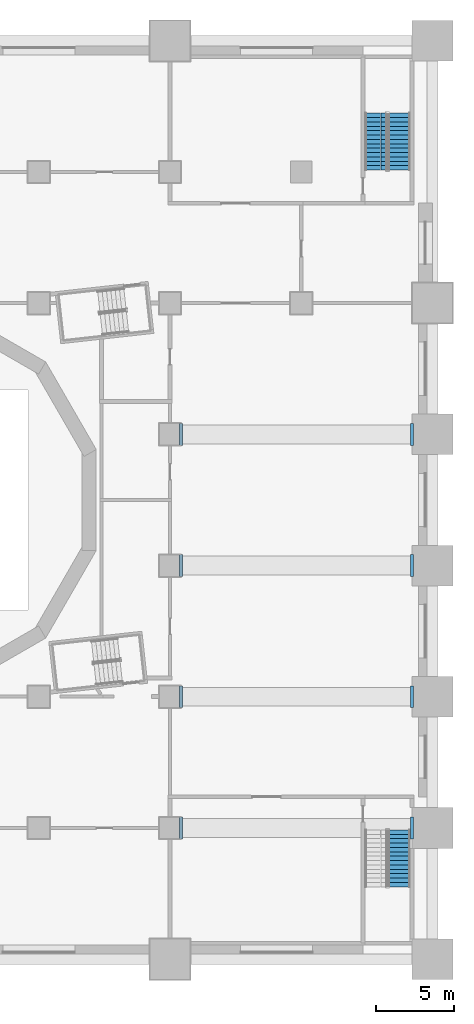
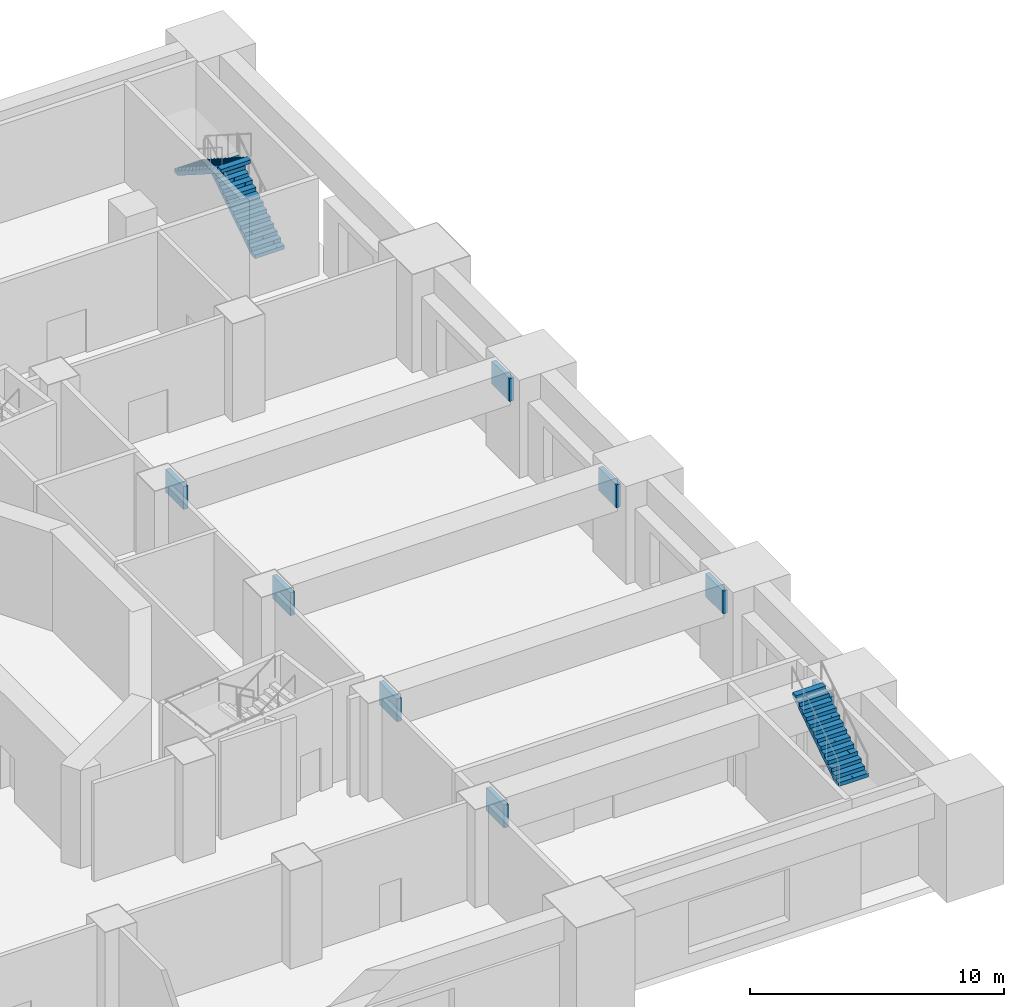
# One storey, part 8 of 17: 8 discrete accessories, 3 stair flights, 2 elements without a shape of their own.
"""IFC4 building model written with IfcOpenShell, lengths in metres."""

from ifc_helpers import new_model, si_unit, direction, frame, origin, place, context, subcontext, project, spatial, polyline, outline, extrude, material, layer, layer_set, type_object, element, aggregate, save


model = new_model("IFC4")

# Units and contexts
model_context = context("Model", 3, precision=1e-05, world=origin(), true_north=direction((0.0, 1.0)))
body_context = subcontext(model_context, "Body", "Model", "MODEL_VIEW")
ifc_project = project(units=[si_unit("LENGTHUNIT", "METRE"), si_unit("AREAUNIT", "SQUARE_METRE"), si_unit("VOLUMEUNIT", "CUBIC_METRE"), si_unit("PLANEANGLEUNIT", "RADIAN"), si_unit("MASSUNIT", "GRAM", prefix="KILO")], contexts=[model_context])

# Site, building, storey
site_placement = place(None, origin())
site = spatial("IfcSite", under=ifc_project, at=site_placement, CompositionType="ELEMENT")
building_placement = place(site_placement, origin())
building = spatial("IfcBuilding", under=site, at=building_placement, Name="Cantera Rosa Tower", CompositionType="ELEMENT")
storey_placement = place(building_placement, frame((0.0, 0.0, 22.0)))
storey = spatial("IfcBuildingStorey", under=building, at=storey_placement, Name="L03", CompositionType="ELEMENT", Elevation=22.0)

# Stair, stair flights
ifc_material_1 = material(Name="Concrete C35/45", Category="concrete")
stair_type = type_object("IfcStairType", Name="Stair half-turn 1350", PredefinedType="HALF_TURN_STAIR", material=ifc_material_1)
stair_1_placement = place(storey_placement, origin())
stair_1 = element("IfcStair", 1, at=stair_1_placement, inside=storey, type_object=stair_type, Name="L03 ST-NE", PredefinedType="HALF_TURN_STAIR")
ifc_material_2 = material(Name="Concrete C35/45", Category="concrete")
stair_flight_type = type_object("IfcStairFlightType", Name="Stair flight 1350", PredefinedType="STRAIGHT", material=ifc_material_2)
stair_flight_1_placement = place(storey_placement, frame((31.5, 21.125, 0.0), z_axis=(0.0, 0.0, 1.0), x_axis=(0.0, 1.0, 0.0)))
stair_flight_1 = element("IfcStairFlight", 2, at=stair_flight_1_placement, type_object=stair_flight_type, Name="ST-NE flight 1", NumberOfRisers=14, NumberOfTreads=13, PredefinedType="STRAIGHT", RiserHeight=0.178571429, TreadLength=0.28, context=body_context, shape_type="SweptSolid", body=[
    extrude(outline(polyline([(0.0, 0.0), (0.0, 0.178466796875), (0.280029296875, 0.178466796875), (0.280029296875, 0.357177734375), (0.56005859375, 0.357177734375), (0.56005859375, 0.53564453125), (0.840087890625, 0.53564453125), (0.840087890625, 0.71435546875), (1.1201171875, 0.71435546875), (1.1201171875, 0.892822265625), (1.39990234375, 0.892822265625), (1.39990234375, 1.071533203125), (1.679931640625, 1.071533203125), (1.679931640625, 1.25), (1.9599609375, 1.25), (1.9599609375, 1.428466796875), (2.239990234375, 1.428466796875), (2.239990234375, 1.607177734375), (2.52001953125, 1.607177734375), (2.52001953125, 1.78564453125), (2.800048828125, 1.78564453125), (2.800048828125, 1.96435546875), (3.080078125, 1.96435546875), (3.080078125, 2.142822265625), (3.360107421875, 2.142822265625), (3.360107421875, 2.321533203125), (3.639892578125, 2.321533203125), (3.639892578125, 2.5), (3.639892578125, 2.1435546875), (0.27880859375, 0.0), (0.0, 0.0)])), frame((0.0, 0.675048828125, 0.0), z_axis=(0.0, -1.0, 0.0), x_axis=(1.0, 0.0, 0.0)), (0.0, 0.0, 1.0), 0.3359375),
    extrude(outline(polyline([(0.0, 0.0), (0.0, 0.178466796875), (0.280029296875, 0.178466796875), (0.280029296875, 0.357177734375), (0.56005859375, 0.357177734375), (0.56005859375, 0.53564453125), (0.840087890625, 0.53564453125), (0.840087890625, 0.71435546875), (1.1201171875, 0.71435546875), (1.1201171875, 0.892822265625), (1.39990234375, 0.892822265625), (1.39990234375, 1.071533203125), (1.679931640625, 1.071533203125), (1.679931640625, 1.25), (1.9599609375, 1.25), (1.9599609375, 1.428466796875), (2.239990234375, 1.428466796875), (2.239990234375, 1.607177734375), (2.52001953125, 1.607177734375), (2.52001953125, 1.78564453125), (2.800048828125, 1.78564453125), (2.800048828125, 1.96435546875), (3.080078125, 1.96435546875), (3.080078125, 2.142822265625), (3.360107421875, 2.142822265625), (3.360107421875, 2.321533203125), (3.639892578125, 2.321533203125), (3.639892578125, 2.5), (3.639892578125, 2.1435546875), (0.27880859375, 0.0), (0.0, 0.0)])), frame((0.0, 0.337158203125, 0.0), z_axis=(0.0, -1.0, 0.0), x_axis=(1.0, 0.0, 0.0)), (0.0, 0.0, 1.0), 0.3359375),
    extrude(outline(polyline([(0.0, 0.0), (0.0, 0.178466796875), (0.280029296875, 0.178466796875), (0.280029296875, 0.357177734375), (0.56005859375, 0.357177734375), (0.56005859375, 0.53564453125), (0.840087890625, 0.53564453125), (0.840087890625, 0.71435546875), (1.1201171875, 0.71435546875), (1.1201171875, 0.892822265625), (1.39990234375, 0.892822265625), (1.39990234375, 1.071533203125), (1.679931640625, 1.071533203125), (1.679931640625, 1.25), (1.9599609375, 1.25), (1.9599609375, 1.428466796875), (2.239990234375, 1.428466796875), (2.239990234375, 1.607177734375), (2.52001953125, 1.607177734375), (2.52001953125, 1.78564453125), (2.800048828125, 1.78564453125), (2.800048828125, 1.96435546875), (3.080078125, 1.96435546875), (3.080078125, 2.142822265625), (3.360107421875, 2.142822265625), (3.360107421875, 2.321533203125), (3.639892578125, 2.321533203125), (3.639892578125, 2.5), (3.639892578125, 2.1435546875), (0.27880859375, 0.0), (0.0, 0.0)])), frame((0.0, -0.000732421875, 0.0), z_axis=(0.0, -1.0, 0.0), x_axis=(1.0, 0.0, 0.0)), (0.0, 0.0, 1.0), 0.3359375),
    extrude(outline(polyline([(0.0, 0.0), (0.0, 0.178466796875), (0.280029296875, 0.178466796875), (0.280029296875, 0.357177734375), (0.56005859375, 0.357177734375), (0.56005859375, 0.53564453125), (0.840087890625, 0.53564453125), (0.840087890625, 0.71435546875), (1.1201171875, 0.71435546875), (1.1201171875, 0.892822265625), (1.39990234375, 0.892822265625), (1.39990234375, 1.071533203125), (1.679931640625, 1.071533203125), (1.679931640625, 1.25), (1.9599609375, 1.25), (1.9599609375, 1.428466796875), (2.239990234375, 1.428466796875), (2.239990234375, 1.607177734375), (2.52001953125, 1.607177734375), (2.52001953125, 1.78564453125), (2.800048828125, 1.78564453125), (2.800048828125, 1.96435546875), (3.080078125, 1.96435546875), (3.080078125, 2.142822265625), (3.360107421875, 2.142822265625), (3.360107421875, 2.321533203125), (3.639892578125, 2.321533203125), (3.639892578125, 2.5), (3.639892578125, 2.1435546875), (0.27880859375, 0.0), (0.0, 0.0)])), frame((0.0, -0.338623046875, 0.0), z_axis=(0.0, -1.0, 0.0), x_axis=(1.0, 0.0, 0.0)), (0.0, 0.0, 1.0), 0.3359375),
])
stair_flight_2_placement = place(storey_placement, frame((29.949951171875, 24.764892578125, 2.5), z_axis=(0.0, 0.0, 1.0), x_axis=(0.0, -1.0, 0.0)))
stair_flight_2 = element("IfcStairFlight", 3, at=stair_flight_2_placement, type_object=stair_flight_type, Name="ST-NE flight 2", NumberOfRisers=14, NumberOfTreads=13, PredefinedType="STRAIGHT", RiserHeight=0.178571429, TreadLength=0.28, context=body_context, shape_type="SweptSolid", body=[
    extrude(outline(polyline([(0.0, 0.0), (0.0, 0.178466796875), (0.280029296875, 0.178466796875), (0.280029296875, 0.357177734375), (0.56005859375, 0.357177734375), (0.56005859375, 0.53564453125), (0.840087890625, 0.53564453125), (0.840087890625, 0.71435546875), (1.1201171875, 0.71435546875), (1.1201171875, 0.892822265625), (1.39990234375, 0.892822265625), (1.39990234375, 1.071533203125), (1.679931640625, 1.071533203125), (1.679931640625, 1.25), (1.9599609375, 1.25), (1.9599609375, 1.428466796875), (2.239990234375, 1.428466796875), (2.239990234375, 1.607177734375), (2.52001953125, 1.607177734375), (2.52001953125, 1.78564453125), (2.800048828125, 1.78564453125), (2.800048828125, 1.96435546875), (3.080078125, 1.96435546875), (3.080078125, 2.142822265625), (3.360107421875, 2.142822265625), (3.360107421875, 2.321533203125), (3.639892578125, 2.321533203125), (3.639892578125, 2.5), (3.639892578125, 2.1435546875), (0.27880859375, 0.0), (0.0, 0.0)])), frame((0.0, 0.675048828125, 0.0), z_axis=(0.0, -1.0, 0.0), x_axis=(1.0, 0.0, 0.0)), (0.0, 0.0, 1.0), 0.3359375),
    extrude(outline(polyline([(0.0, 0.0), (0.0, 0.178466796875), (0.280029296875, 0.178466796875), (0.280029296875, 0.357177734375), (0.56005859375, 0.357177734375), (0.56005859375, 0.53564453125), (0.840087890625, 0.53564453125), (0.840087890625, 0.71435546875), (1.1201171875, 0.71435546875), (1.1201171875, 0.892822265625), (1.39990234375, 0.892822265625), (1.39990234375, 1.071533203125), (1.679931640625, 1.071533203125), (1.679931640625, 1.25), (1.9599609375, 1.25), (1.9599609375, 1.428466796875), (2.239990234375, 1.428466796875), (2.239990234375, 1.607177734375), (2.52001953125, 1.607177734375), (2.52001953125, 1.78564453125), (2.800048828125, 1.78564453125), (2.800048828125, 1.96435546875), (3.080078125, 1.96435546875), (3.080078125, 2.142822265625), (3.360107421875, 2.142822265625), (3.360107421875, 2.321533203125), (3.639892578125, 2.321533203125), (3.639892578125, 2.5), (3.639892578125, 2.1435546875), (0.27880859375, 0.0), (0.0, 0.0)])), frame((0.0, 0.337158203125, 0.0), z_axis=(0.0, -1.0, 0.0), x_axis=(1.0, 0.0, 0.0)), (0.0, 0.0, 1.0), 0.3359375),
    extrude(outline(polyline([(0.0, 0.0), (0.0, 0.178466796875), (0.280029296875, 0.178466796875), (0.280029296875, 0.357177734375), (0.56005859375, 0.357177734375), (0.56005859375, 0.53564453125), (0.840087890625, 0.53564453125), (0.840087890625, 0.71435546875), (1.1201171875, 0.71435546875), (1.1201171875, 0.892822265625), (1.39990234375, 0.892822265625), (1.39990234375, 1.071533203125), (1.679931640625, 1.071533203125), (1.679931640625, 1.25), (1.9599609375, 1.25), (1.9599609375, 1.428466796875), (2.239990234375, 1.428466796875), (2.239990234375, 1.607177734375), (2.52001953125, 1.607177734375), (2.52001953125, 1.78564453125), (2.800048828125, 1.78564453125), (2.800048828125, 1.96435546875), (3.080078125, 1.96435546875), (3.080078125, 2.142822265625), (3.360107421875, 2.142822265625), (3.360107421875, 2.321533203125), (3.639892578125, 2.321533203125), (3.639892578125, 2.5), (3.639892578125, 2.1435546875), (0.27880859375, 0.0), (0.0, 0.0)])), frame((0.0, -0.000732421875, 0.0), z_axis=(0.0, -1.0, 0.0), x_axis=(1.0, 0.0, 0.0)), (0.0, 0.0, 1.0), 0.3359375),
    extrude(outline(polyline([(0.0, 0.0), (0.0, 0.178466796875), (0.280029296875, 0.178466796875), (0.280029296875, 0.357177734375), (0.56005859375, 0.357177734375), (0.56005859375, 0.53564453125), (0.840087890625, 0.53564453125), (0.840087890625, 0.71435546875), (1.1201171875, 0.71435546875), (1.1201171875, 0.892822265625), (1.39990234375, 0.892822265625), (1.39990234375, 1.071533203125), (1.679931640625, 1.071533203125), (1.679931640625, 1.25), (1.9599609375, 1.25), (1.9599609375, 1.428466796875), (2.239990234375, 1.428466796875), (2.239990234375, 1.607177734375), (2.52001953125, 1.607177734375), (2.52001953125, 1.78564453125), (2.800048828125, 1.78564453125), (2.800048828125, 1.96435546875), (3.080078125, 1.96435546875), (3.080078125, 2.142822265625), (3.360107421875, 2.142822265625), (3.360107421875, 2.321533203125), (3.639892578125, 2.321533203125), (3.639892578125, 2.5), (3.639892578125, 2.1435546875), (0.27880859375, 0.0), (0.0, 0.0)])), frame((0.0, -0.338623046875, 0.0), z_axis=(0.0, -1.0, 0.0), x_axis=(1.0, 0.0, 0.0)), (0.0, 0.0, 1.0), 0.3359375),
])
aggregate(stair_1, [stair_flight_1, stair_flight_2])

# Stair, stair flight
stair_2_placement = place(storey_placement, origin())
stair_2 = element("IfcStair", 4, at=stair_2_placement, inside=storey, type_object=stair_type, Name="L03 ST-SE", PredefinedType="HALF_TURN_STAIR")
stair_flight_3_placement = place(storey_placement, frame((31.5, -24.764892578125, 2.5), z_axis=(0.0, 0.0, 1.0), x_axis=(0.0, 1.0, 0.0)))
stair_flight_3 = element("IfcStairFlight", 5, at=stair_flight_3_placement, type_object=stair_flight_type, Name="ST-SE flight 2", NumberOfRisers=14, NumberOfTreads=13, PredefinedType="STRAIGHT", RiserHeight=0.178571429, TreadLength=0.28, context=body_context, shape_type="SweptSolid", body=[
    extrude(outline(polyline([(0.0, 0.0), (0.0, 0.178466796875), (0.280029296875, 0.178466796875), (0.280029296875, 0.357177734375), (0.56005859375, 0.357177734375), (0.56005859375, 0.53564453125), (0.840087890625, 0.53564453125), (0.840087890625, 0.71435546875), (1.1201171875, 0.71435546875), (1.1201171875, 0.892822265625), (1.39990234375, 0.892822265625), (1.39990234375, 1.071533203125), (1.679931640625, 1.071533203125), (1.679931640625, 1.25), (1.9599609375, 1.25), (1.9599609375, 1.428466796875), (2.239990234375, 1.428466796875), (2.239990234375, 1.607177734375), (2.52001953125, 1.607177734375), (2.52001953125, 1.78564453125), (2.800048828125, 1.78564453125), (2.800048828125, 1.96435546875), (3.080078125, 1.96435546875), (3.080078125, 2.142822265625), (3.360107421875, 2.142822265625), (3.360107421875, 2.321533203125), (3.639892578125, 2.321533203125), (3.639892578125, 2.5), (3.639892578125, 2.1435546875), (0.27880859375, 0.0), (0.0, 0.0)])), frame((0.0, 0.675048828125, 0.0), z_axis=(0.0, -1.0, 0.0), x_axis=(1.0, 0.0, 0.0)), (0.0, 0.0, 1.0), 0.3359375),
    extrude(outline(polyline([(0.0, 0.0), (0.0, 0.178466796875), (0.280029296875, 0.178466796875), (0.280029296875, 0.357177734375), (0.56005859375, 0.357177734375), (0.56005859375, 0.53564453125), (0.840087890625, 0.53564453125), (0.840087890625, 0.71435546875), (1.1201171875, 0.71435546875), (1.1201171875, 0.892822265625), (1.39990234375, 0.892822265625), (1.39990234375, 1.071533203125), (1.679931640625, 1.071533203125), (1.679931640625, 1.25), (1.9599609375, 1.25), (1.9599609375, 1.428466796875), (2.239990234375, 1.428466796875), (2.239990234375, 1.607177734375), (2.52001953125, 1.607177734375), (2.52001953125, 1.78564453125), (2.800048828125, 1.78564453125), (2.800048828125, 1.96435546875), (3.080078125, 1.96435546875), (3.080078125, 2.142822265625), (3.360107421875, 2.142822265625), (3.360107421875, 2.321533203125), (3.639892578125, 2.321533203125), (3.639892578125, 2.5), (3.639892578125, 2.1435546875), (0.27880859375, 0.0), (0.0, 0.0)])), frame((0.0, 0.337158203125, 0.0), z_axis=(0.0, -1.0, 0.0), x_axis=(1.0, 0.0, 0.0)), (0.0, 0.0, 1.0), 0.3359375),
    extrude(outline(polyline([(0.0, 0.0), (0.0, 0.178466796875), (0.280029296875, 0.178466796875), (0.280029296875, 0.357177734375), (0.56005859375, 0.357177734375), (0.56005859375, 0.53564453125), (0.840087890625, 0.53564453125), (0.840087890625, 0.71435546875), (1.1201171875, 0.71435546875), (1.1201171875, 0.892822265625), (1.39990234375, 0.892822265625), (1.39990234375, 1.071533203125), (1.679931640625, 1.071533203125), (1.679931640625, 1.25), (1.9599609375, 1.25), (1.9599609375, 1.428466796875), (2.239990234375, 1.428466796875), (2.239990234375, 1.607177734375), (2.52001953125, 1.607177734375), (2.52001953125, 1.78564453125), (2.800048828125, 1.78564453125), (2.800048828125, 1.96435546875), (3.080078125, 1.96435546875), (3.080078125, 2.142822265625), (3.360107421875, 2.142822265625), (3.360107421875, 2.321533203125), (3.639892578125, 2.321533203125), (3.639892578125, 2.5), (3.639892578125, 2.1435546875), (0.27880859375, 0.0), (0.0, 0.0)])), frame((0.0, -0.000732421875, 0.0), z_axis=(0.0, -1.0, 0.0), x_axis=(1.0, 0.0, 0.0)), (0.0, 0.0, 1.0), 0.3359375),
    extrude(outline(polyline([(0.0, 0.0), (0.0, 0.178466796875), (0.280029296875, 0.178466796875), (0.280029296875, 0.357177734375), (0.56005859375, 0.357177734375), (0.56005859375, 0.53564453125), (0.840087890625, 0.53564453125), (0.840087890625, 0.71435546875), (1.1201171875, 0.71435546875), (1.1201171875, 0.892822265625), (1.39990234375, 0.892822265625), (1.39990234375, 1.071533203125), (1.679931640625, 1.071533203125), (1.679931640625, 1.25), (1.9599609375, 1.25), (1.9599609375, 1.428466796875), (2.239990234375, 1.428466796875), (2.239990234375, 1.607177734375), (2.52001953125, 1.607177734375), (2.52001953125, 1.78564453125), (2.800048828125, 1.78564453125), (2.800048828125, 1.96435546875), (3.080078125, 1.96435546875), (3.080078125, 2.142822265625), (3.360107421875, 2.142822265625), (3.360107421875, 2.321533203125), (3.639892578125, 2.321533203125), (3.639892578125, 2.5), (3.639892578125, 2.1435546875), (0.27880859375, 0.0), (0.0, 0.0)])), frame((0.0, -0.338623046875, 0.0), z_axis=(0.0, -1.0, 0.0), x_axis=(1.0, 0.0, 0.0)), (0.0, 0.0, 1.0), 0.3359375),
])
aggregate(stair_2, [stair_flight_3])

# Discrete accessories
ifc_material_3 = material(Name="Steel ASTM A992 (Fy 345 MPa)", Category="steel")
ifc_layer = layer(ifc_material_3, 0.0400390625)
ifc_layer_set = layer_set([ifc_layer], Name="STEEL BEARING PLATE 40")
discrete_accessory_type = type_object("IfcDiscreteAccessoryType", Name="STEEL BEARING PLATE 40", PredefinedType="ANCHORPLATE", material=ifc_layer_set)
discrete_accessory_1_placement = place(storey_placement, frame((0.0, 0.0, 3.35009765625)))
element("IfcDiscreteAccessory", 6, at=discrete_accessory_1_placement, inside=storey, type_object=discrete_accessory_type, Name="BEARING PLATE TG-1 end 1", PredefinedType="ANCHORPLATE", context=body_context, shape_type="SweptSolid", body=[
    extrude(outline(polyline([(17.60009765625, -20.300048828125), (17.39990234375, -20.300048828125), (17.39990234375, -21.699951171875), (17.60009765625, -21.699951171875), (17.60009765625, -20.300048828125)])), origin(), (0.0, 0.0, 1.0), 1.099853515625),
])
discrete_accessory_2_placement = place(storey_placement, frame((0.0, 0.0, 3.35009765625)))
element("IfcDiscreteAccessory", 7, at=discrete_accessory_2_placement, inside=storey, type_object=discrete_accessory_type, Name="BEARING PLATE TG-1 end 2", PredefinedType="ANCHORPLATE", context=body_context, shape_type="SweptSolid", body=[
    extrude(outline(polyline([(32.199951171875, -21.699951171875), (32.39990234375, -21.699951171875), (32.39990234375, -20.300048828125), (32.199951171875, -20.300048828125), (32.199951171875, -21.699951171875)])), origin(), (0.0, 0.0, 1.0), 1.099853515625),
])
discrete_accessory_3_placement = place(storey_placement, frame((0.0, 0.0, 3.35009765625)))
element("IfcDiscreteAccessory", 8, at=discrete_accessory_3_placement, inside=storey, type_object=discrete_accessory_type, Name="BEARING PLATE TG-2 end 1", PredefinedType="ANCHORPLATE", context=body_context, shape_type="SweptSolid", body=[
    extrude(outline(polyline([(17.60009765625, -11.89990234375), (17.39990234375, -11.89990234375), (17.39990234375, -13.300048828125), (17.60009765625, -13.300048828125), (17.60009765625, -11.89990234375)])), origin(), (0.0, 0.0, 1.0), 1.099853515625),
])
discrete_accessory_4_placement = place(storey_placement, frame((0.0, 0.0, 3.35009765625)))
element("IfcDiscreteAccessory", 9, at=discrete_accessory_4_placement, inside=storey, type_object=discrete_accessory_type, Name="BEARING PLATE TG-2 end 2", PredefinedType="ANCHORPLATE", context=body_context, shape_type="SweptSolid", body=[
    extrude(outline(polyline([(32.199951171875, -13.300048828125), (32.39990234375, -13.300048828125), (32.39990234375, -11.89990234375), (32.199951171875, -11.89990234375), (32.199951171875, -13.300048828125)])), origin(), (0.0, 0.0, 1.0), 1.099853515625),
])
discrete_accessory_5_placement = place(storey_placement, frame((0.0, 0.0, 3.35009765625)))
element("IfcDiscreteAccessory", 10, at=discrete_accessory_5_placement, inside=storey, type_object=discrete_accessory_type, Name="BEARING PLATE TG-3 end 1", PredefinedType="ANCHORPLATE", context=body_context, shape_type="SweptSolid", body=[
    extrude(outline(polyline([(17.60009765625, -3.5), (17.39990234375, -3.5), (17.39990234375, -4.89990234375), (17.60009765625, -4.89990234375), (17.60009765625, -3.5)])), origin(), (0.0, 0.0, 1.0), 1.099853515625),
])
discrete_accessory_6_placement = place(storey_placement, frame((0.0, 0.0, 3.35009765625)))
element("IfcDiscreteAccessory", 11, at=discrete_accessory_6_placement, inside=storey, type_object=discrete_accessory_type, Name="BEARING PLATE TG-3 end 2", PredefinedType="ANCHORPLATE", context=body_context, shape_type="SweptSolid", body=[
    extrude(outline(polyline([(32.199951171875, -4.89990234375), (32.39990234375, -4.89990234375), (32.39990234375, -3.5), (32.199951171875, -3.5), (32.199951171875, -4.89990234375)])), origin(), (0.0, 0.0, 1.0), 1.099853515625),
])
discrete_accessory_7_placement = place(storey_placement, frame((0.0, 0.0, 3.35009765625)))
element("IfcDiscreteAccessory", 12, at=discrete_accessory_7_placement, inside=storey, type_object=discrete_accessory_type, Name="BEARING PLATE TG-4 end 1", PredefinedType="ANCHORPLATE", context=body_context, shape_type="SweptSolid", body=[
    extrude(outline(polyline([(17.60009765625, 4.89990234375), (17.39990234375, 4.89990234375), (17.39990234375, 3.5), (17.60009765625, 3.5), (17.60009765625, 4.89990234375)])), origin(), (0.0, 0.0, 1.0), 1.099853515625),
])
discrete_accessory_8_placement = place(storey_placement, frame((0.0, 0.0, 3.35009765625)))
element("IfcDiscreteAccessory", 13, at=discrete_accessory_8_placement, inside=storey, type_object=discrete_accessory_type, Name="BEARING PLATE TG-4 end 2", PredefinedType="ANCHORPLATE", context=body_context, shape_type="SweptSolid", body=[
    extrude(outline(polyline([(32.199951171875, 3.5), (32.39990234375, 3.5), (32.39990234375, 4.89990234375), (32.199951171875, 4.89990234375), (32.199951171875, 3.5)])), origin(), (0.0, 0.0, 1.0), 1.099853515625),
])

save(model, "model.ifc")
